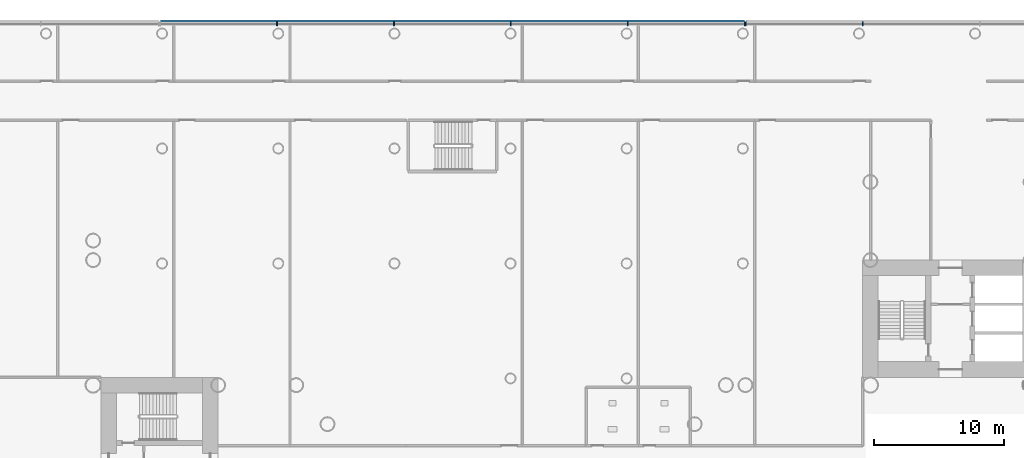
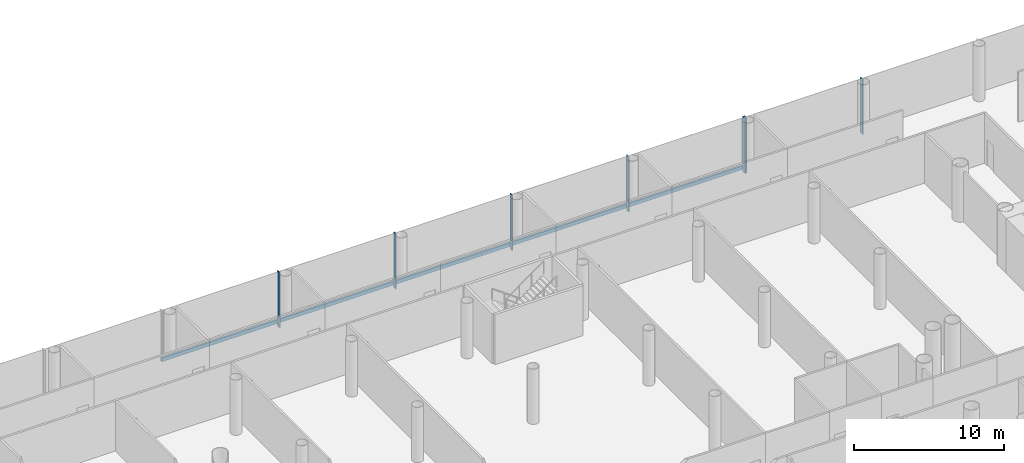
# One storey, part 11 of 49: 8 members, 2 elements without a shape of their own.
"""IFC4 building model written with IfcOpenShell, lengths in metres."""

from ifc_helpers import new_model, si_unit, direction, frame, origin, origin_2d, place, context, subcontext, project, spatial, rectangle, extrude, material, layer, layer_set, material_profile, profile_set, type_object, element, aggregate, save


model = new_model("IFC4")

# Units and contexts
model_context = context("Model", 3, precision=1e-05, world=origin(), true_north=direction((0.0, 1.0)))
body_context = subcontext(model_context, "Body", "Model", "MODEL_VIEW")
ifc_project = project(units=[si_unit("LENGTHUNIT", "METRE"), si_unit("AREAUNIT", "SQUARE_METRE"), si_unit("VOLUMEUNIT", "CUBIC_METRE"), si_unit("PLANEANGLEUNIT", "RADIAN"), si_unit("MASSUNIT", "GRAM", prefix="KILO")], contexts=[model_context])

# Site, building, storey
site_placement = place(None, origin())
site = spatial("IfcSite", under=ifc_project, at=site_placement, CompositionType="ELEMENT")
building_placement = place(site_placement, origin())
building = spatial("IfcBuilding", under=site, at=building_placement, Name="Ipe Terrace Towers", CompositionType="ELEMENT")
storey_placement = place(building_placement, frame((0.0, 0.0, 11.0)))
storey = spatial("IfcBuildingStorey", under=building, at=storey_placement, Name="L02", CompositionType="ELEMENT", Elevation=11.0)

# Curtain wall, members
ifc_material_1 = material(Name="Aluminium alloy 6063-T6", Category="aluminium")
ifc_layer = layer(ifc_material_1, 0.43994140625)
ifc_layer_set = layer_set([ifc_layer], Name="PODIUM GLAZING CURTAIN WALL")
curtain_wall_type = type_object("IfcCurtainWallType", Name="PODIUM GLAZING CURTAIN WALL", PredefinedType="NOTDEFINED", material=ifc_layer_set)
curtain_wall_1_placement = place(storey_placement, origin())
curtain_wall_1 = element("IfcCurtainWall", 1, at=curtain_wall_1_placement, inside=storey, type_object=curtain_wall_type, Name="POD-CW-L02-01a curtain wall", PredefinedType="NOTDEFINED")
ifc_material_2 = material(Name="Aluminium alloy 6063-T6", Category="aluminium")
ifc_material_profile_1 = material_profile(ifc_material_2, rectangle(XDim=0.300048828125, YDim=0.080078125, at=origin_2d()), Name="PODIUM GLAZING MULLION 300 x 80")
ifc_profile_set_1 = profile_set([ifc_material_profile_1], Name="Aluminium alloy 6063-T6")
member_type_1 = type_object("IfcMemberType", Name="PODIUM GLAZING MULLION 300 x 80", PredefinedType="MULLION", material=ifc_profile_set_1)
member_1_placement = place(storey_placement, frame((29.27392578125, 33.89990234375, -0.300048828125), z_axis=(0.0, 0.0, 1.0), x_axis=(0.0, 1.0, 0.0)))
member_1 = element("IfcMember", 2, at=member_1_placement, type_object=member_type_1, Name="POD-CW-L02-01a mullion 5", PredefinedType="MULLION", context=body_context, shape_type="SweptSolid", body=[
    extrude(rectangle(XDim=0.300048828125, YDim=0.080078125, at=origin_2d()), origin(), (0.0, 0.0, 1.0), 4.5),
])
member_2_placement = place(storey_placement, frame((20.2900390625, 33.89990234375, -0.300048828125), z_axis=(0.0, 0.0, 1.0), x_axis=(0.0, 1.0, 0.0)))
member_2 = element("IfcMember", 3, at=member_2_placement, type_object=member_type_1, Name="POD-CW-L02-01a mullion 6", PredefinedType="MULLION", context=body_context, shape_type="SweptSolid", body=[
    extrude(rectangle(XDim=0.300048828125, YDim=0.080078125, at=origin_2d()), origin(), (0.0, 0.0, 1.0), 4.5),
])
aggregate(curtain_wall_1, [member_1, member_2])

curtain_wall_2_placement = place(storey_placement, origin())
curtain_wall_2 = element("IfcCurtainWall", 4, at=curtain_wall_2_placement, inside=storey, type_object=curtain_wall_type, Name="POD-CW-L02-01b curtain wall", PredefinedType="NOTDEFINED")
member_3_placement = place(storey_placement, frame((20.2099609375, 33.89990234375, -0.300048828125), z_axis=(0.0, 0.0, 1.0), x_axis=(0.0, 1.0, 0.0)))
member_3 = element("IfcMember", 5, at=member_3_placement, type_object=member_type_1, Name="POD-CW-L02-01b mullion 1", PredefinedType="MULLION", context=body_context, shape_type="SweptSolid", body=[
    extrude(rectangle(XDim=0.300048828125, YDim=0.080078125, at=origin_2d()), origin(), (0.0, 0.0, 1.0), 4.5),
])
member_4_placement = place(storey_placement, frame((11.22607421875, 33.89990234375, -0.300048828125), z_axis=(0.0, 0.0, 1.0), x_axis=(0.0, 1.0, 0.0)))
member_4 = element("IfcMember", 6, at=member_4_placement, type_object=member_type_1, Name="POD-CW-L02-01b mullion 2", PredefinedType="MULLION", context=body_context, shape_type="SweptSolid", body=[
    extrude(rectangle(XDim=0.300048828125, YDim=0.080078125, at=origin_2d()), origin(), (0.0, 0.0, 1.0), 4.5),
])
member_5_placement = place(storey_placement, frame((2.241943359375, 33.89990234375, -0.300048828125), z_axis=(0.0, 0.0, 1.0), x_axis=(0.0, 1.0, 0.0)))
member_5 = element("IfcMember", 7, at=member_5_placement, type_object=member_type_1, Name="POD-CW-L02-01b mullion 3", PredefinedType="MULLION", context=body_context, shape_type="SweptSolid", body=[
    extrude(rectangle(XDim=0.300048828125, YDim=0.080078125, at=origin_2d()), origin(), (0.0, 0.0, 1.0), 4.5),
])
member_6_placement = place(storey_placement, frame((-6.741943359375, 33.89990234375, -0.300048828125), z_axis=(0.0, 0.0, 1.0), x_axis=(0.0, 1.0, 0.0)))
member_6 = element("IfcMember", 8, at=member_6_placement, type_object=member_type_1, Name="POD-CW-L02-01b mullion 4", PredefinedType="MULLION", context=body_context, shape_type="SweptSolid", body=[
    extrude(rectangle(XDim=0.300048828125, YDim=0.080078125, at=origin_2d()), origin(), (0.0, 0.0, 1.0), 4.5),
])
member_7_placement = place(storey_placement, frame((-15.72607421875, 33.89990234375, -0.300048828125), z_axis=(0.0, 0.0, 1.0), x_axis=(0.0, 1.0, 0.0)))
member_7 = element("IfcMember", 9, at=member_7_placement, type_object=member_type_1, Name="POD-CW-L02-01b mullion 5", PredefinedType="MULLION", context=body_context, shape_type="SweptSolid", body=[
    extrude(rectangle(XDim=0.300048828125, YDim=0.080078125, at=origin_2d()), origin(), (0.0, 0.0, 1.0), 4.5),
])
ifc_material_3 = material(Name="Aluminium alloy 6063-T6", Category="aluminium")
ifc_material_profile_2 = material_profile(ifc_material_3, rectangle(XDim=0.139892578125, YDim=0.300048828125, at=origin_2d()), Name="PODIUM GLAZING TRANSOM 140 x 300")
ifc_profile_set_2 = profile_set([ifc_material_profile_2], Name="Aluminium alloy 6063-T6")
member_type_2 = type_object("IfcMemberType", Name="PODIUM GLAZING TRANSOM 140 x 300", PredefinedType="USERDEFINED", material=ifc_profile_set_2)
member_8_placement = place(storey_placement, frame((20.169921875, 34.1201171875, 0.0), z_axis=(-1.0, 0.0, 0.0), x_axis=(0.0, 1.0, 0.0)))
member_8 = element("IfcMember", 10, at=member_8_placement, type_object=member_type_2, Name="POD-CW-L02-01b transom", ObjectType="TRANSOM", PredefinedType="USERDEFINED", context=body_context, shape_type="SweptSolid", body=[
    extrude(rectangle(XDim=0.139892578125, YDim=0.300048828125, at=origin_2d()), origin(), (0.0, 0.0, 1.0), 44.83984375),
])
aggregate(curtain_wall_2, [member_3, member_4, member_5, member_6, member_7, member_8])

save(model, "model.ifc")
